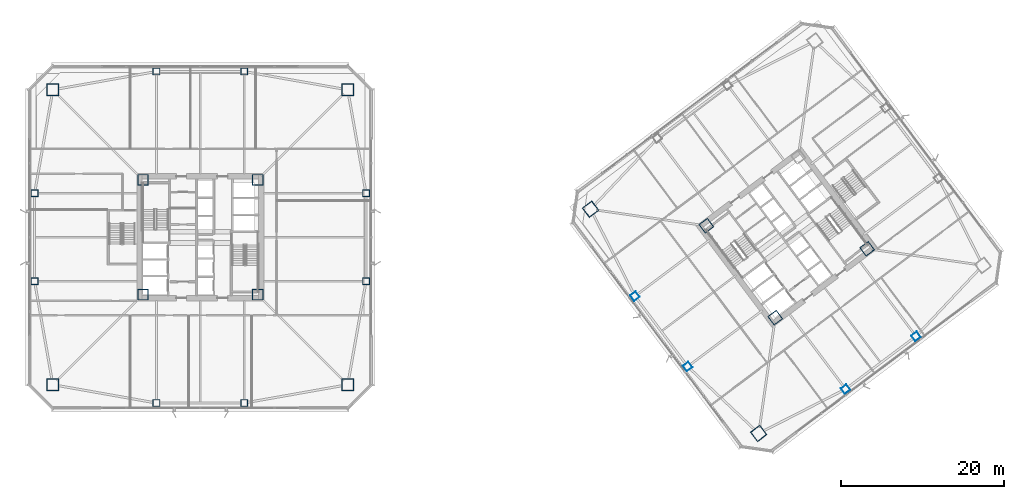
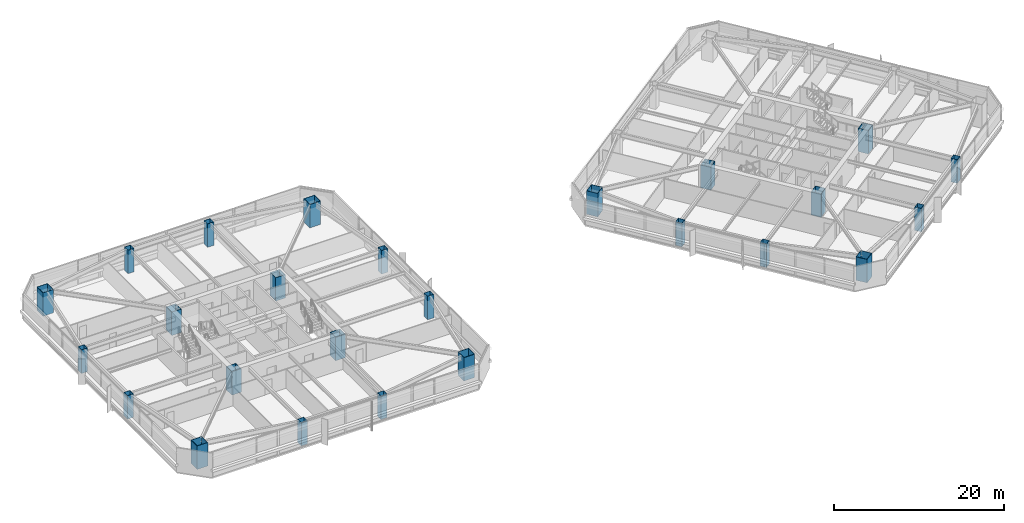
# One storey, part 1 of 49: 25 columns.
"""IFC4 building model written with IfcOpenShell, lengths in metres."""

from ifc_helpers import new_model, si_unit, direction, frame, origin, origin_2d, place, context, subcontext, project, spatial, hollow_rectangle, extrude, material, material_profile, profile_set, type_object, element, save


model = new_model("IFC4")

# Units and contexts
model_context = context("Model", 3, precision=1e-05, world=origin(), true_north=direction((0.0, 1.0)))
body_context = subcontext(model_context, "Body", "Model", "MODEL_VIEW")
ifc_project = project(units=[si_unit("LENGTHUNIT", "METRE"), si_unit("AREAUNIT", "SQUARE_METRE"), si_unit("VOLUMEUNIT", "CUBIC_METRE"), si_unit("PLANEANGLEUNIT", "RADIAN"), si_unit("MASSUNIT", "GRAM", prefix="KILO")], contexts=[model_context])

# Site, building, storey
site_placement = place(None, origin())
site = spatial("IfcSite", under=ifc_project, at=site_placement, CompositionType="ELEMENT")
building_placement = place(site_placement, origin())
building = spatial("IfcBuilding", under=site, at=building_placement, Name="Tashvorn Skyway Center", CompositionType="ELEMENT")
storey_placement = place(building_placement, frame((0.0, 0.0, 70.75)))
storey = spatial("IfcBuildingStorey", under=building, at=storey_placement, Name="L18", CompositionType="ELEMENT", Elevation=70.75)

# Columns
ifc_material = material(Name="Steel ASTM A572 Grade 50", Category="steel")
ifc_material_profile_1 = material_profile(ifc_material, hollow_rectangle(XDim=1.300048828125, YDim=1.300048828125, WallThickness=0.050048828125, at=origin_2d()), Name="BOX1300x1300x50")
ifc_profile_set_1 = profile_set([ifc_material_profile_1], Name="Steel ASTM A572 Grade 50")
column_type_1 = type_object("IfcColumnType", Name="COL-BOX1300x1300x50", PredefinedType="COLUMN", material=ifc_profile_set_1)
for number, where, z_axis, x_axis, name in (
    (1, (34.949951171875, 24.949951171875, 0.0), (0.0, 0.0, 1.0), (1.0, 0.0, 0.0), "Tower 1 L18 Core Corner Column CC-SW"),
    (2, (49.050048828125, 24.949951171875, 0.0), (0.0, 0.0, 1.0), (1.0, 0.0, 0.0), "Tower 1 L18 Core Corner Column CC-SE"),
    (3, (49.050048828125, 39.050048828125, 0.0), (0.0, 0.0, 1.0), (1.0, 0.0, 0.0), "Tower 1 L18 Core Corner Column CC-NE"),
    (4, (34.949951171875, 39.050048828125, 0.0), (0.0, 0.0, 1.0), (1.0, 0.0, 0.0), "Tower 1 L18 Core Corner Column CC-NW"),
    (5, (112.590087890625, 22.1298828125, 0.0), (0.0, 0.0, 1.0), (0.799999996291, 0.600000004945, 0.0), "Tower 2 L18 Core Corner Column CC-SW"),
    (6, (123.8701171875, 30.590087890625, 0.0), (0.0, 0.0, 1.0), (0.799999996291, 0.600000004945, 0.0), "Tower 2 L18 Core Corner Column CC-SE"),
    (7, (104.1298828125, 33.409912109375, 0.0), (0.0, 0.0, 1.0), (0.799999996291, 0.600000004945, 0.0), "Tower 2 L18 Core Corner Column CC-NW"),
):
    element("IfcColumn", number, at=place(storey_placement, frame(where, z_axis=z_axis, x_axis=x_axis)), inside=storey, type_object=column_type_1, Name=name, PredefinedType="COLUMN", context=body_context, shape_type="SweptSolid", body=[
        extrude(hollow_rectangle(XDim=1.300048828125, YDim=1.300048828125, WallThickness=0.050048828125, at=origin_2d()), origin(), (0.0, 0.0, 1.0), 3.35009765625),
    ])
ifc_material_profile_2 = material_profile(ifc_material, hollow_rectangle(XDim=1.449951171875, YDim=1.449951171875, WallThickness=0.054931640625, at=origin_2d()), Name="BOX1450x1450x55")
ifc_profile_set_2 = profile_set([ifc_material_profile_2], Name="Steel ASTM A572 Grade 50")
column_type_2 = type_object("IfcColumnType", Name="COL-BOX1450x1450x55", PredefinedType="COLUMN", material=ifc_profile_set_2)
for number, where, z_axis, x_axis, name in (
    (8, (23.89990234375, 13.89990234375, 0.0), (0.0, 0.0, 1.0), (1.0, 0.0, 0.0), "Tower 1 L18 Mega-Column MC-SW"),
    (9, (60.10009765625, 13.89990234375, 0.0), (0.0, 0.0, 1.0), (1.0, 0.0, 0.0), "Tower 1 L18 Mega-Column MC-SE"),
    (10, (60.10009765625, 50.10009765625, 0.0), (0.0, 0.0, 1.0), (1.0, 0.0, 0.0), "Tower 1 L18 Mega-Column MC-NE"),
    (11, (23.89990234375, 50.10009765625, 0.0), (0.0, 0.0, 1.0), (1.0, 0.0, 0.0), "Tower 1 L18 Mega-Column MC-NW"),
    (12, (110.56005859375, 7.919921875, 0.0), (0.0, 0.0, 1.0), (0.799999996291, 0.600000004945, 0.0), "Tower 2 L18 Mega-Column MC-SW"),
    (13, (89.919921875, 35.43994140625, 0.0), (0.0, 0.0, 1.0), (0.799999996291, 0.600000004945, 0.0), "Tower 2 L18 Mega-Column MC-NW"),
):
    element("IfcColumn", number, at=place(storey_placement, frame(where, z_axis=z_axis, x_axis=x_axis)), inside=storey, type_object=column_type_2, Name=name, PredefinedType="COLUMN", context=body_context, shape_type="SweptSolid", body=[
        extrude(hollow_rectangle(XDim=1.449951171875, YDim=1.449951171875, WallThickness=0.054931640625, at=origin_2d()), origin(), (0.0, 0.0, 1.0), 3.35009765625),
    ])
ifc_material_profile_3 = material_profile(ifc_material, hollow_rectangle(XDim=0.85009765625, YDim=0.85009765625, WallThickness=0.034912109375, at=origin_2d()), Name="BOX850x850x35")
ifc_profile_set_3 = profile_set([ifc_material_profile_3], Name="Steel ASTM A572 Grade 50")
column_type_3 = type_object("IfcColumnType", Name="COL-BOX850x850x35", PredefinedType="COLUMN", material=ifc_profile_set_3)
for number, where, z_axis, x_axis, name in (
    (14, (36.60009765625, 11.64990234375, 0.0), (0.0, 0.0, 1.0), (1.0, 0.0, 0.0), "Tower 1 L18 Perimeter Column FC-S1"),
    (15, (47.39990234375, 11.64990234375, 0.0), (0.0, 0.0, 1.0), (1.0, 0.0, 0.0), "Tower 1 L18 Perimeter Column FC-S2"),
    (16, (62.35009765625, 26.60009765625, 0.0), (0.0, 0.0, 1.0), (1.0, 0.0, 0.0), "Tower 1 L18 Perimeter Column FC-E1"),
    (17, (62.35009765625, 37.39990234375, 0.0), (0.0, 0.0, 1.0), (1.0, 0.0, 0.0), "Tower 1 L18 Perimeter Column FC-E2"),
    (18, (47.39990234375, 52.35009765625, 0.0), (0.0, 0.0, 1.0), (1.0, 0.0, 0.0), "Tower 1 L18 Perimeter Column FC-N1"),
    (19, (36.60009765625, 52.35009765625, 0.0), (0.0, 0.0, 1.0), (1.0, 0.0, 0.0), "Tower 1 L18 Perimeter Column FC-N2"),
    (20, (21.64990234375, 37.39990234375, 0.0), (0.0, 0.0, 1.0), (1.0, 0.0, 0.0), "Tower 1 L18 Perimeter Column FC-W1"),
    (21, (21.64990234375, 26.60009765625, 0.0), (0.0, 0.0, 1.0), (1.0, 0.0, 0.0), "Tower 1 L18 Perimeter Column FC-W2"),
    (22, (121.22998046875, 13.360107421875, 0.0), (0.0, 0.0, 1.0), (0.799999996291, 0.600000004945, 0.0), "Tower 2 L18 Perimeter Column FC-S1"),
    (23, (129.8701171875, 19.840087890625, 0.0), (0.0, 0.0, 1.0), (0.799999996291, 0.600000004945, 0.0), "Tower 2 L18 Perimeter Column FC-S2"),
    (24, (95.360107421875, 24.77001953125, 0.0), (0.0, 0.0, 1.0), (0.799999996291, 0.600000004945, 0.0), "Tower 2 L18 Perimeter Column FC-W1"),
    (25, (101.840087890625, 16.1298828125, 0.0), (0.0, 0.0, 1.0), (0.799999996291, 0.600000004945, 0.0), "Tower 2 L18 Perimeter Column FC-W2"),
):
    element("IfcColumn", number, at=place(storey_placement, frame(where, z_axis=z_axis, x_axis=x_axis)), inside=storey, type_object=column_type_3, Name=name, PredefinedType="COLUMN", context=body_context, shape_type="SweptSolid", body=[
        extrude(hollow_rectangle(XDim=0.85009765625, YDim=0.85009765625, WallThickness=0.034912109375, at=origin_2d()), origin(), (0.0, 0.0, 1.0), 3.35009765625),
    ])

save(model, "model.ifc")
